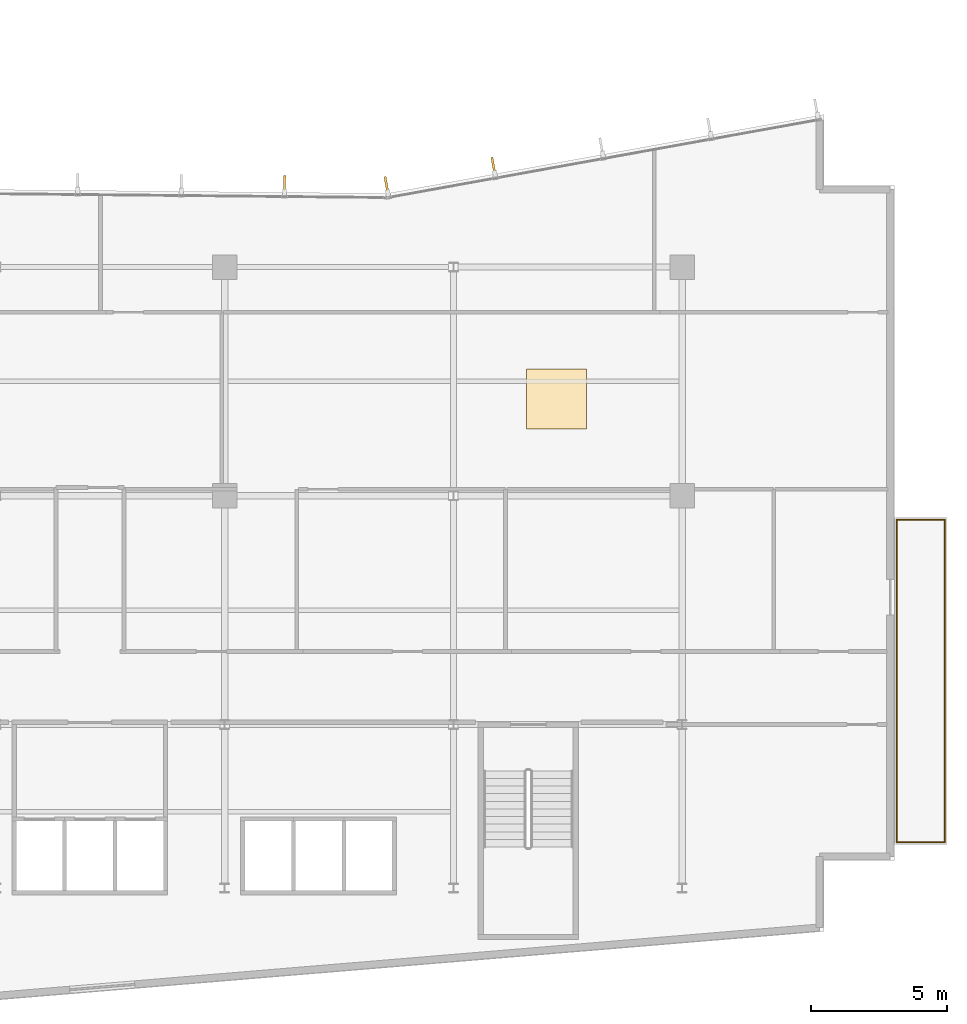
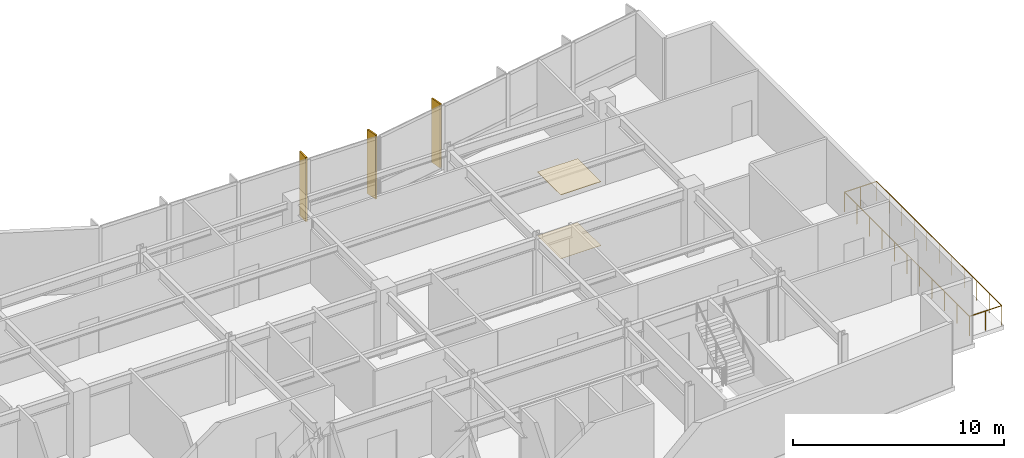
# One storey, part 16 of 18: 4 railings, 3 shading devices, 2 coverings.
"""IFC4 building model written with IfcOpenShell, lengths in metres."""

from ifc_helpers import new_model, si_unit, direction, frame, origin, origin_2d, place, context, subcontext, project, spatial, rectangle, circle, extrude, material, layer, layer_set, type_object, element, save


model = new_model("IFC4")

# Units and contexts
model_context = context("Model", 3, precision=1e-05, world=origin(), true_north=direction((0.0, 1.0)))
body_context = subcontext(model_context, "Body", "Model", "MODEL_VIEW")
ifc_project = project(units=[si_unit("LENGTHUNIT", "METRE"), si_unit("AREAUNIT", "SQUARE_METRE"), si_unit("VOLUMEUNIT", "CUBIC_METRE"), si_unit("PLANEANGLEUNIT", "RADIAN"), si_unit("MASSUNIT", "GRAM", prefix="KILO")], contexts=[model_context])

# Site, building, storey
site_placement = place(None, origin())
site = spatial("IfcSite", under=ifc_project, at=site_placement, CompositionType="ELEMENT")
building_placement = place(site_placement, origin())
building = spatial("IfcBuilding", under=site, at=building_placement, Name="Varnakote Quay Hospital", CompositionType="ELEMENT")
storey_placement = place(building_placement, frame((0.0, 0.0, 30.39990234375)))
storey = spatial("IfcBuildingStorey", under=building, at=storey_placement, Name="L07", CompositionType="ELEMENT", Elevation=30.39990234375)

# Coverings
ifc_material_1 = material(Name="Antimicrobial acoustic mineral ceiling tile", Category="gypsum")
ifc_layer_1 = layer(ifc_material_1, 0.02490234375)
ifc_layer_set_1 = layer_set([ifc_layer_1], Name="Antimicrobial acoustic mineral ceiling tile")
covering_type_1 = type_object("IfcCoveringType", Name="COV-CLIN-CEIL-25", PredefinedType="CEILING", material=ifc_layer_set_1)
covering_1_placement = place(storey_placement, frame((45.784912109375, 23.949951171875, 3.68505859375), z_axis=(0.0, 0.0, 1.0), x_axis=(1.0, 0.0, 0.0)))
element("IfcCovering", 1, at=covering_1_placement, inside=storey, type_object=covering_type_1, Name="L07 Antimicrobial Acoustic Ceiling Tile", PredefinedType="CEILING", context=body_context, shape_type="SweptSolid", body=[
    extrude(rectangle(XDim=2.199951171875, YDim=2.199951171875, at=origin_2d()), origin(), (0.0, 0.0, 1.0), 0.02490234375),
])
ifc_material_2 = material(Name="Seamless clinical sheet vinyl flooring")
ifc_layer_2 = layer(ifc_material_2, 0.011962890625)
ifc_layer_set_2 = layer_set([ifc_layer_2], Name="Seamless clinical sheet vinyl flooring")
covering_type_2 = type_object("IfcCoveringType", Name="COV-CLIN-VINYL-12", PredefinedType="FLOORING", material=ifc_layer_set_2)
covering_2_placement = place(storey_placement, frame((45.784912109375, 23.949951171875, 0.0), z_axis=(0.0, 0.0, 1.0), x_axis=(1.0, 0.0, 0.0)))
element("IfcCovering", 2, at=covering_2_placement, inside=storey, type_object=covering_type_2, Name="L07 Seamless Clinical Vinyl Flooring", PredefinedType="FLOORING", context=body_context, shape_type="SweptSolid", body=[
    extrude(rectangle(XDim=2.199951171875, YDim=2.199951171875, at=origin_2d()), origin(), (0.0, 0.0, 1.0), 0.011962890625),
])

# Railings
ifc_material_3 = material(Name="Anodised aluminium 6063-T6 Bronze", Category="aluminium")
railing_type = type_object("IfcRailingType", Name="RLG-EXT-GUARD-1150", PredefinedType="GUARDRAIL", material=ifc_material_3)
railing_1_placement = place(storey_placement, frame((58.27587890625, 19.52001953125, 0.0)))
element("IfcRailing", 3, at=railing_1_placement, inside=storey, type_object=railing_type, Name="L07 Zigzag Prow Healing Terrace Safety Guard", PredefinedType="GUARDRAIL", context=body_context, shape_type="SweptSolid", body=[
    extrude(circle(Radius=0.02392578125, at=origin_2d()), frame((0.0, 0.0, 1.1259765625), z_axis=(1.0, 0.0, 0.0), x_axis=(0.0, 1.0, 0.0)), (0.0, 0.0, 1.0), 1.76416015625),
    extrude(circle(Radius=0.02099609375, at=origin_2d()), origin(), (0.0, 0.0, 1.0), 1.101806640625),
    extrude(circle(Radius=0.02099609375, at=origin_2d()), frame((0.882080078125, 0.0, 0.0)), (0.0, 0.0, 1.0), 1.101806640625),
    extrude(circle(Radius=0.02099609375, at=origin_2d()), frame((1.76416015625, 0.0, 0.0)), (0.0, 0.0, 1.0), 1.101806640625),
])
railing_2_placement = place(storey_placement, frame((60.0400390625, 19.52001953125, 0.0)))
element("IfcRailing", 4, at=railing_2_placement, inside=storey, type_object=railing_type, Name="L07 Zigzag Prow Healing Terrace Safety Guard", PredefinedType="GUARDRAIL", context=body_context, shape_type="SweptSolid", body=[
    extrude(circle(Radius=0.02392578125, at=origin_2d()), frame((0.0, 0.0, 1.1259765625), z_axis=(0.0, -1.0, 0.0), x_axis=(1.0, 0.0, 0.0)), (0.0, 0.0, 1.0), 11.840087890625),
    extrude(circle(Radius=0.02099609375, at=origin_2d()), origin(), (0.0, 0.0, 1.0), 1.101806640625),
    extrude(circle(Radius=0.02099609375, at=origin_2d()), frame((0.0, -1.18408203125, 0.0)), (0.0, 0.0, 1.0), 1.101806640625),
    extrude(circle(Radius=0.02099609375, at=origin_2d()), frame((0.0, -2.367919921875, 0.0)), (0.0, 0.0, 1.0), 1.101806640625),
    extrude(circle(Radius=0.02099609375, at=origin_2d()), frame((0.0, -3.552001953125, 0.0)), (0.0, 0.0, 1.0), 1.101806640625),
    extrude(circle(Radius=0.02099609375, at=origin_2d()), frame((0.0, -4.736083984375, 0.0)), (0.0, 0.0, 1.0), 1.101806640625),
    extrude(circle(Radius=0.02099609375, at=origin_2d()), frame((0.0, -5.919921875, 0.0)), (0.0, 0.0, 1.0), 1.101806640625),
    extrude(circle(Radius=0.02099609375, at=origin_2d()), frame((0.0, -7.10400390625, 0.0)), (0.0, 0.0, 1.0), 1.101806640625),
    extrude(circle(Radius=0.02099609375, at=origin_2d()), frame((0.0, -8.2880859375, 0.0)), (0.0, 0.0, 1.0), 1.101806640625),
    extrude(circle(Radius=0.02099609375, at=origin_2d()), frame((0.0, -9.47216796875, 0.0)), (0.0, 0.0, 1.0), 1.101806640625),
    extrude(circle(Radius=0.02099609375, at=origin_2d()), frame((0.0, -10.656005859375, 0.0)), (0.0, 0.0, 1.0), 1.101806640625),
    extrude(circle(Radius=0.02099609375, at=origin_2d()), frame((0.0, -11.840087890625, 0.0)), (0.0, 0.0, 1.0), 1.101806640625),
])
railing_3_placement = place(storey_placement, frame((60.0400390625, 7.679931640625, 0.0)))
element("IfcRailing", 5, at=railing_3_placement, inside=storey, type_object=railing_type, Name="L07 Zigzag Prow Healing Terrace Safety Guard", PredefinedType="GUARDRAIL", context=body_context, shape_type="SweptSolid", body=[
    extrude(circle(Radius=0.02392578125, at=origin_2d()), frame((0.0, 0.0, 1.1259765625), z_axis=(-1.0, 0.0, 0.0), x_axis=(0.0, -1.0, 0.0)), (0.0, 0.0, 1.0), 1.76416015625),
    extrude(circle(Radius=0.02099609375, at=origin_2d()), origin(), (0.0, 0.0, 1.0), 1.101806640625),
    extrude(circle(Radius=0.02099609375, at=origin_2d()), frame((-0.882080078125, 0.0, 0.0)), (0.0, 0.0, 1.0), 1.101806640625),
    extrude(circle(Radius=0.02099609375, at=origin_2d()), frame((-1.76416015625, 0.0, 0.0)), (0.0, 0.0, 1.0), 1.101806640625),
])
railing_4_placement = place(storey_placement, frame((58.27587890625, 7.679931640625, 0.0)))
element("IfcRailing", 6, at=railing_4_placement, inside=storey, type_object=railing_type, Name="L07 Zigzag Prow Healing Terrace Safety Guard", PredefinedType="GUARDRAIL", context=body_context, shape_type="SweptSolid", body=[
    extrude(circle(Radius=0.02392578125, at=origin_2d()), frame((0.0, 0.0, 1.1259765625), z_axis=(0.0, 1.0, 0.0), x_axis=(-1.0, 0.0, 0.0)), (0.0, 0.0, 1.0), 11.840087890625),
    extrude(circle(Radius=0.02099609375, at=origin_2d()), origin(), (0.0, 0.0, 1.0), 1.101806640625),
    extrude(circle(Radius=0.02099609375, at=origin_2d()), frame((0.0, 1.18408203125, 0.0)), (0.0, 0.0, 1.0), 1.101806640625),
    extrude(circle(Radius=0.02099609375, at=origin_2d()), frame((0.0, 2.367919921875, 0.0)), (0.0, 0.0, 1.0), 1.101806640625),
    extrude(circle(Radius=0.02099609375, at=origin_2d()), frame((0.0, 3.552001953125, 0.0)), (0.0, 0.0, 1.0), 1.101806640625),
    extrude(circle(Radius=0.02099609375, at=origin_2d()), frame((0.0, 4.736083984375, 0.0)), (0.0, 0.0, 1.0), 1.101806640625),
    extrude(circle(Radius=0.02099609375, at=origin_2d()), frame((0.0, 5.919921875, 0.0)), (0.0, 0.0, 1.0), 1.101806640625),
    extrude(circle(Radius=0.02099609375, at=origin_2d()), frame((0.0, 7.10400390625, 0.0)), (0.0, 0.0, 1.0), 1.101806640625),
    extrude(circle(Radius=0.02099609375, at=origin_2d()), frame((0.0, 8.2880859375, 0.0)), (0.0, 0.0, 1.0), 1.101806640625),
    extrude(circle(Radius=0.02099609375, at=origin_2d()), frame((0.0, 9.47216796875, 0.0)), (0.0, 0.0, 1.0), 1.101806640625),
    extrude(circle(Radius=0.02099609375, at=origin_2d()), frame((0.0, 10.656005859375, 0.0)), (0.0, 0.0, 1.0), 1.101806640625),
    extrude(circle(Radius=0.02099609375, at=origin_2d()), frame((0.0, 11.840087890625, 0.0)), (0.0, 0.0, 1.0), 1.101806640625),
])

# Shading devices
ifc_material_4 = material(Name="Anodised aluminium 6063-T6 Bronze", Category="aluminium")
ifc_layer_3 = layer(ifc_material_4, 0.0849609375)
ifc_layer_set_3 = layer_set([ifc_layer_3], Name="Anodised aluminium 6063-T6 Bronze")
shading_device_type = type_object("IfcShadingDeviceType", Name="SHD-BRONZE-FIN-620", PredefinedType="USERDEFINED", material=ifc_layer_set_3)
for number, where, z_axis, x_axis, name in (
    (7, (43.468505859375, 32.522705078125, 0.0), (0.0, 0.0, 1.0), (0.177771795263, -0.984071739666, 0.0), "L07 Anodised Bronze Vertical Shading FIN"),
    (8, (39.54296875, 31.81298828125, 0.0), (0.0, 0.0, 1.0), (0.177771795263, -0.984071739666, 0.0), "L07 Anodised Bronze Vertical Shading FIN"),
    (9, (35.798583984375, 31.85107421875, 0.0), (0.0, 0.0, 1.0), (-0.009773688199, -0.999952236369, 0.0), "L07 Anodised Bronze Vertical Shading FIN"),
):
    element("IfcShadingDevice", number, at=place(storey_placement, frame(where, z_axis=z_axis, x_axis=x_axis)), inside=storey, type_object=shading_device_type, Name=name, ObjectType="FIN", PredefinedType="USERDEFINED", context=body_context, shape_type="SweptSolid", body=[
        extrude(rectangle(XDim=0.6201171875, YDim=0.0849609375, at=origin_2d()), origin(), (0.0, 0.0, 1.0), 3.7099609375),
    ])

save(model, "model.ifc")
